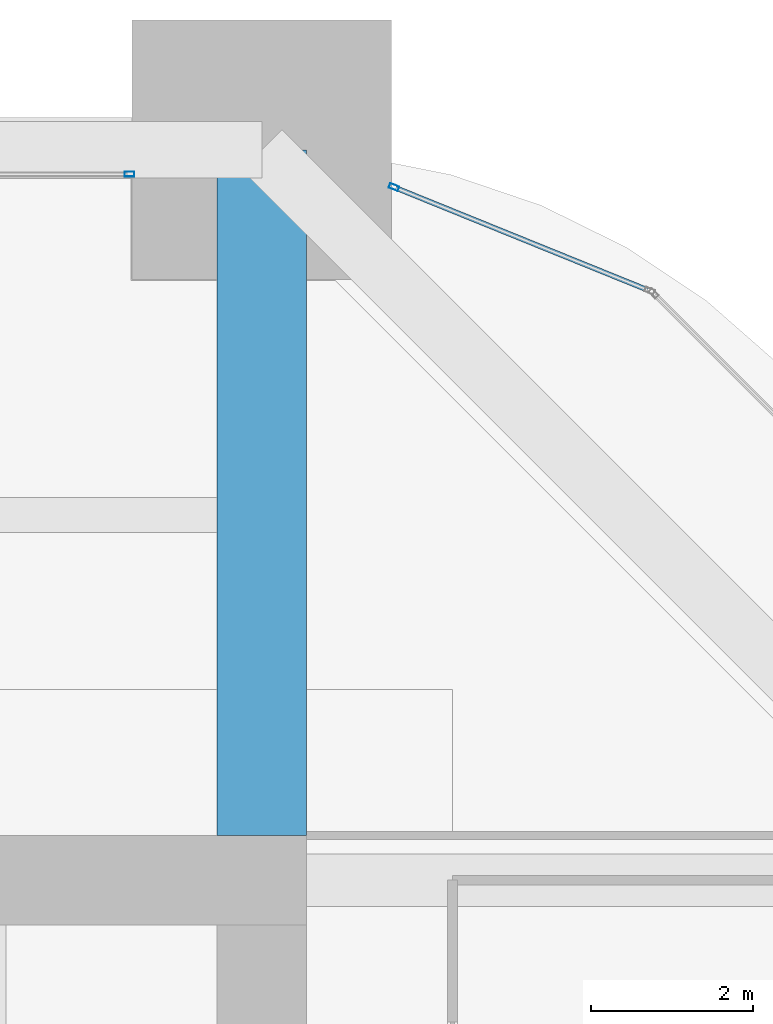
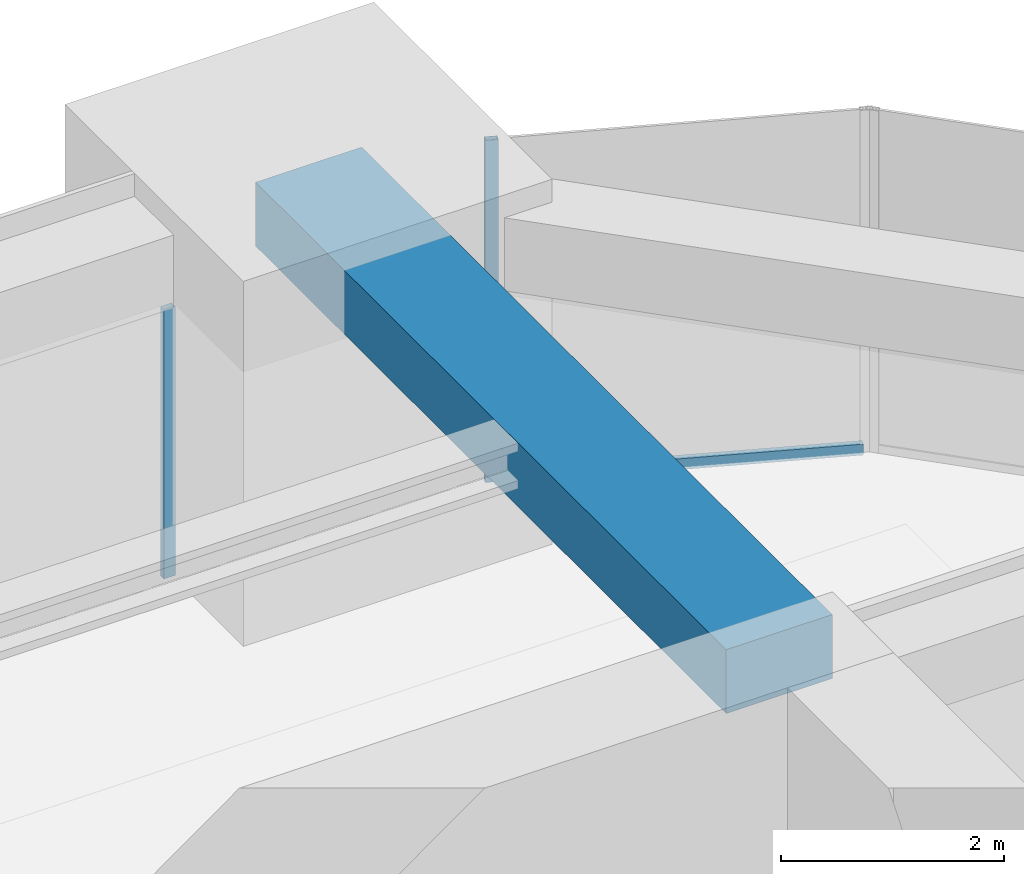
# One storey, part 36 of 43: 3 members, 1 beam, 2 elements without a shape of their own.
"""IFC4 building model written with IfcOpenShell, lengths in metres."""

from ifc_helpers import new_model, si_unit, direction, frame, origin, origin_2d, place, context, subcontext, project, spatial, rectangle, hollow_rectangle, extrude, material, material_profile, profile_set, type_object, element, aggregate, save


model = new_model("IFC4")

# Units and contexts
model_context = context("Model", 3, precision=1e-05, world=origin(), true_north=direction((0.0, 1.0)))
body_context = subcontext(model_context, "Body", "Model", "MODEL_VIEW")
ifc_project = project(units=[si_unit("LENGTHUNIT", "METRE"), si_unit("AREAUNIT", "SQUARE_METRE"), si_unit("VOLUMEUNIT", "CUBIC_METRE"), si_unit("PLANEANGLEUNIT", "RADIAN"), si_unit("MASSUNIT", "GRAM", prefix="KILO")], contexts=[model_context])

# Site, building, storey
site_placement = place(None, origin())
site = spatial("IfcSite", under=ifc_project, at=site_placement, CompositionType="ELEMENT")
building_placement = place(site_placement, origin())
building = spatial("IfcBuilding", under=site, at=building_placement, Name="Zorevar Civic Tower", CompositionType="ELEMENT")
storey_placement = place(building_placement, frame((0.0, 0.0, 243.39990234375)))
storey = spatial("IfcBuildingStorey", under=building, at=storey_placement, Name="L59", CompositionType="ELEMENT", Elevation=243.39990234375)

# Beam
ifc_material_1 = material(Name="Concrete C50/60", Category="concrete")
ifc_material_profile_1 = material_profile(ifc_material_1, rectangle(XDim=1.10009765625, YDim=0.699951171875, at=origin_2d()), Name="RC 1100x700")
ifc_profile_set_1 = profile_set([ifc_material_profile_1], Name="Concrete C50/60")
beam_type = type_object("IfcBeamType", Name="Beam RC 1100x700", PredefinedType="BEAM", material=ifc_profile_set_1)
beam_placement = place(storey_placement, frame((45.0, 36.550048828125, 3.400146484375), z_axis=(0.0, 1.0, 0.0), x_axis=(-1.0, 0.0, 0.0)))
element("IfcBeam", 1, at=beam_placement, inside=storey, type_object=beam_type, Name="Girder L60", PredefinedType="BEAM", context=body_context, shape_type="SweptSolid", body=[
    extrude(rectangle(XDim=1.10009765625, YDim=0.699951171875, at=origin_2d()), origin(), (0.0, 0.0, 1.0), 8.449951171875),
])

# Curtain wall, member
ifc_material_2 = material(Name="Dark grey solar-control glass in black aluminium frame", Category="aluminium")
curtain_wall_type = type_object("IfcCurtainWallType", Name="Curtain wall CW5 top zone", PredefinedType="NOTDEFINED", material=ifc_material_2)
curtain_wall_1_placement = place(storey_placement, origin())
curtain_wall_1 = element("IfcCurtainWall", 2, at=curtain_wall_1_placement, inside=storey, type_object=curtain_wall_type, Name="CW5 L59", PredefinedType="NOTDEFINED")
ifc_material_3 = material(Name="Aluminium, black anodised", Category="aluminium")
ifc_material_profile_2 = material_profile(ifc_material_3, hollow_rectangle(XDim=0.06005859375, YDim=0.1201171875, WallThickness=0.0029296875, at=origin_2d()), Name="AL 120x60x3")
ifc_profile_set_2 = profile_set([ifc_material_profile_2], Name="Aluminium, black anodised")
member_type_1 = type_object("IfcMemberType", Name="CW5 mullion AL 120x60x3", PredefinedType="MULLION", material=ifc_profile_set_2)
member_1_placement = place(storey_placement, frame((43.3701171875, 44.699951171875, 0.0), z_axis=(0.0, 0.0, 1.0), x_axis=(0.0, 1.0, 0.0)))
member_1 = element("IfcMember", 3, at=member_1_placement, type_object=member_type_1, Name="CW5 mullion 2", PredefinedType="MULLION", context=body_context, shape_type="SweptSolid", body=[
    extrude(hollow_rectangle(XDim=0.06005859375, YDim=0.1201171875, WallThickness=0.0029296875, at=origin_2d()), origin(), (0.0, 0.0, 1.0), 2.9501953125),
])
aggregate(curtain_wall_1, [member_1])

# Curtain wall, members
curtain_wall_2_placement = place(storey_placement, origin())
curtain_wall_2 = element("IfcCurtainWall", 4, at=curtain_wall_2_placement, inside=storey, type_object=curtain_wall_type, Name="CW5 L59", PredefinedType="NOTDEFINED")
member_2_placement = place(storey_placement, frame((46.627685546875, 44.540283203125, 0.0), z_axis=(0.0, 0.0, 1.0), x_axis=(-0.375650166453, -0.926761540227, 0.0)))
member_2 = element("IfcMember", 5, at=member_2_placement, type_object=member_type_1, Name="CW5 mullion 2", PredefinedType="MULLION", context=body_context, shape_type="SweptSolid", body=[
    extrude(hollow_rectangle(XDim=0.06005859375, YDim=0.1201171875, WallThickness=0.0029296875, at=origin_2d()), origin(), (0.0, 0.0, 1.0), 3.75),
])
ifc_material_4 = material(Name="Aluminium, black anodised", Category="aluminium")
ifc_material_profile_3 = material_profile(ifc_material_4, hollow_rectangle(XDim=0.06005859375, YDim=0.1201171875, WallThickness=0.0029296875, at=origin_2d()), Name="AL 120x60x3")
ifc_profile_set_3 = profile_set([ifc_material_profile_3], Name="Aluminium, black anodised")
member_type_2 = type_object("IfcMemberType", Name="CW5 transom AL 120x60x3", PredefinedType="USERDEFINED", material=ifc_profile_set_3)
member_3_placement = place(storey_placement, frame((49.750244140625, 43.274658203125, 0.030029296875), z_axis=(-0.92676265847, 0.375647407638, 0.0), x_axis=(-0.375647407638, -0.92676265847, 0.0)))
member_3 = element("IfcMember", 6, at=member_3_placement, type_object=member_type_2, Name="CW5 sill transom", ObjectType="TRANSOM", PredefinedType="USERDEFINED", context=body_context, shape_type="SweptSolid", body=[
    extrude(hollow_rectangle(XDim=0.06005859375, YDim=0.1201171875, WallThickness=0.0029296875, at=origin_2d()), origin(), (0.0, 0.0, 1.0), 3.33935546875),
])
aggregate(curtain_wall_2, [member_2, member_3])

save(model, "model.ifc")
